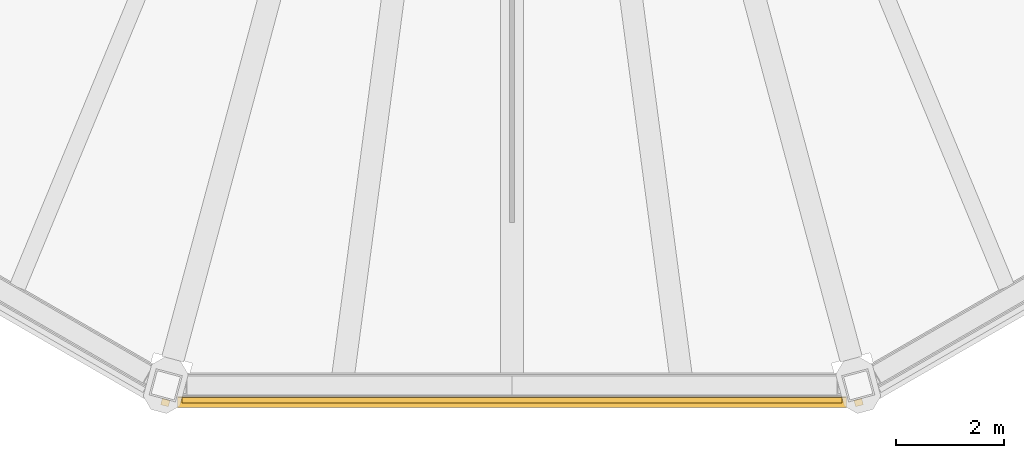
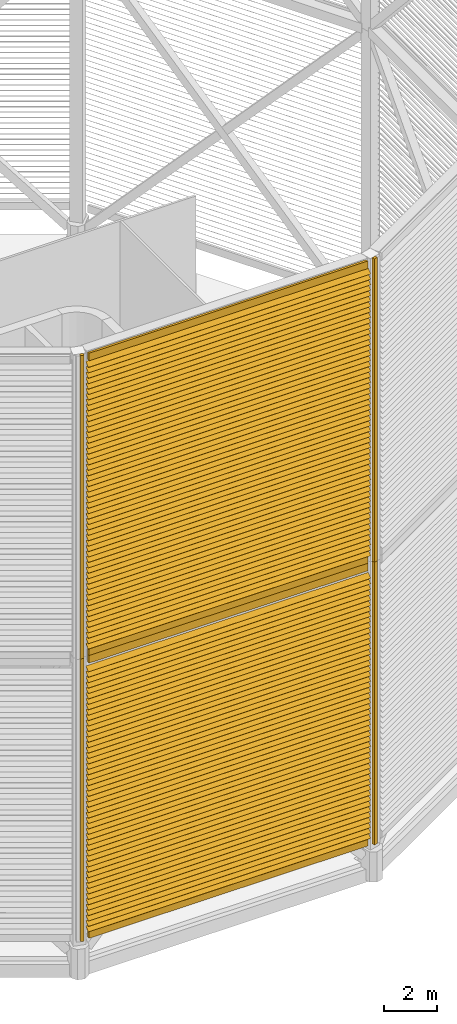
# One storey, part 9 of 18: 2 shading devices.
"""IFC4 building model written with IfcOpenShell, lengths in metres."""

from ifc_helpers import new_model, si_unit, direction, frame, origin, origin_2d, place, context, subcontext, project, spatial, rectangle, extrude, material, type_object, element, save


model = new_model("IFC4")

# Units and contexts
model_context = context("Model", 3, precision=1e-05, world=origin(), true_north=direction((0.0, 1.0)))
body_context = subcontext(model_context, "Body", "Model", "MODEL_VIEW")
ifc_project = project(units=[si_unit("LENGTHUNIT", "METRE"), si_unit("AREAUNIT", "SQUARE_METRE"), si_unit("VOLUMEUNIT", "CUBIC_METRE"), si_unit("PLANEANGLEUNIT", "RADIAN"), si_unit("MASSUNIT", "GRAM", prefix="KILO")], contexts=[model_context])

# Site, building, storey
site_placement = place(None, origin())
site = spatial("IfcSite", under=ifc_project, at=site_placement, CompositionType="ELEMENT")
building_placement = place(site_placement, origin())
building = spatial("IfcBuilding", under=site, at=building_placement, Name="Sahrelin Media Tower", CompositionType="ELEMENT")
storey_placement = place(building_placement, frame((0.0, 0.0, 335.800048828125)))
storey = spatial("IfcBuildingStorey", under=building, at=storey_placement, Name="Crown", CompositionType="ELEMENT", Elevation=335.800048828125)

# Shading devices
ifc_material = material(Name="Champagne anodised aluminium 6063-T6", Category="aluminium")
shading_device_type = type_object("IfcShadingDeviceType", Name="Crown louvre screen", PredefinedType="USERDEFINED", material=ifc_material)
shading_device_1_placement = place(storey_placement, frame((-6.38525390625, -23.830078125, 0.949951171875), z_axis=(0.0, 0.0, 1.0), x_axis=(-1.0, 0.0, 0.0)))
element("IfcShadingDevice", 1, at=shading_device_1_placement, inside=storey, type_object=shading_device_type, Name="Crown louvre screen CS-08A", ObjectType="LOUVRE", PredefinedType="USERDEFINED", context=body_context, shape_type="SweptSolid", body=[
    extrude(rectangle(XDim=0.10009765625, YDim=0.35009765625, at=origin_2d()), frame((-0.300048828125, 0.27490234375, 12.875), z_axis=(-1.0, 0.0, 0.0), x_axis=(0.0, -1.0, 0.0)), (0.0, 0.0, 1.0), 12.170654296875),
    extrude(rectangle(XDim=0.10009765625, YDim=0.35009765625, at=origin_2d()), frame((-0.300048828125, 0.27490234375, 0.175048828125), z_axis=(-1.0, 0.0, 0.0), x_axis=(0.0, -1.0, 0.0)), (0.0, 0.0, 1.0), 12.170654296875),
    extrude(rectangle(XDim=0.1201171875, YDim=0.14990234375, at=origin_2d()), frame((0.0078125, 0.31884765625, 0.0), z_axis=(0.0, 0.0, 1.0), x_axis=(0.258819045103, 0.965925826289, 0.0)), (0.0, 0.0, 1.0), 13.050048828125),
    extrude(rectangle(XDim=0.1201171875, YDim=0.14990234375, at=origin_2d()), frame((-12.7783203125, 0.31884765625, 0.0), z_axis=(0.0, 0.0, 1.0), x_axis=(-0.258819045103, 0.965925826289, 0.0)), (0.0, 0.0, 1.0), 13.050048828125),
    extrude(rectangle(XDim=0.25, YDim=0.02001953125, at=origin_2d()), frame((-0.219970703125, 0.31005859375, 0.449951171875), z_axis=(-1.0, 0.0, 0.0), x_axis=(0.0, -0.766044443119, 0.642787609687)), (0.0, 0.0, 1.0), 12.33056640625),
    extrude(rectangle(XDim=0.25, YDim=0.02001953125, at=origin_2d()), frame((-0.219970703125, 0.31005859375, 0.699951171875), z_axis=(-1.0, 0.0, 0.0), x_axis=(0.0, -0.766044443119, 0.642787609687)), (0.0, 0.0, 1.0), 12.33056640625),
    extrude(rectangle(XDim=0.25, YDim=0.02001953125, at=origin_2d()), frame((-0.219970703125, 0.31005859375, 0.949951171875), z_axis=(-1.0, 0.0, 0.0), x_axis=(0.0, -0.766044443119, 0.642787609687)), (0.0, 0.0, 1.0), 12.33056640625),
    extrude(rectangle(XDim=0.25, YDim=0.02001953125, at=origin_2d()), frame((-0.219970703125, 0.31005859375, 1.199951171875), z_axis=(-1.0, 0.0, 0.0), x_axis=(0.0, -0.766044443119, 0.642787609687)), (0.0, 0.0, 1.0), 12.33056640625),
    extrude(rectangle(XDim=0.25, YDim=0.02001953125, at=origin_2d()), frame((-0.219970703125, 0.31005859375, 1.449951171875), z_axis=(-1.0, 0.0, 0.0), x_axis=(0.0, -0.766044443119, 0.642787609687)), (0.0, 0.0, 1.0), 12.33056640625),
    extrude(rectangle(XDim=0.25, YDim=0.02001953125, at=origin_2d()), frame((-0.219970703125, 0.31005859375, 1.699951171875), z_axis=(-1.0, 0.0, 0.0), x_axis=(0.0, -0.766044443119, 0.642787609687)), (0.0, 0.0, 1.0), 12.33056640625),
    extrude(rectangle(XDim=0.25, YDim=0.02001953125, at=origin_2d()), frame((-0.219970703125, 0.31005859375, 1.949951171875), z_axis=(-1.0, 0.0, 0.0), x_axis=(0.0, -0.766044443119, 0.642787609687)), (0.0, 0.0, 1.0), 12.33056640625),
    extrude(rectangle(XDim=0.25, YDim=0.02001953125, at=origin_2d()), frame((-0.219970703125, 0.31005859375, 2.199951171875), z_axis=(-1.0, 0.0, 0.0), x_axis=(0.0, -0.766044443119, 0.642787609687)), (0.0, 0.0, 1.0), 12.33056640625),
    extrude(rectangle(XDim=0.25, YDim=0.02001953125, at=origin_2d()), frame((-0.219970703125, 0.31005859375, 2.449951171875), z_axis=(-1.0, 0.0, 0.0), x_axis=(0.0, -0.766044443119, 0.642787609687)), (0.0, 0.0, 1.0), 12.33056640625),
    extrude(rectangle(XDim=0.25, YDim=0.02001953125, at=origin_2d()), frame((-0.219970703125, 0.31005859375, 2.699951171875), z_axis=(-1.0, 0.0, 0.0), x_axis=(0.0, -0.766044443119, 0.642787609687)), (0.0, 0.0, 1.0), 12.33056640625),
    extrude(rectangle(XDim=0.25, YDim=0.02001953125, at=origin_2d()), frame((-0.219970703125, 0.31005859375, 2.949951171875), z_axis=(-1.0, 0.0, 0.0), x_axis=(0.0, -0.766044443119, 0.642787609687)), (0.0, 0.0, 1.0), 12.33056640625),
    extrude(rectangle(XDim=0.25, YDim=0.02001953125, at=origin_2d()), frame((-0.219970703125, 0.31005859375, 3.199951171875), z_axis=(-1.0, 0.0, 0.0), x_axis=(0.0, -0.766044443119, 0.642787609687)), (0.0, 0.0, 1.0), 12.33056640625),
    extrude(rectangle(XDim=0.25, YDim=0.02001953125, at=origin_2d()), frame((-0.219970703125, 0.31005859375, 3.449951171875), z_axis=(-1.0, 0.0, 0.0), x_axis=(0.0, -0.766044443119, 0.642787609687)), (0.0, 0.0, 1.0), 12.33056640625),
    extrude(rectangle(XDim=0.25, YDim=0.02001953125, at=origin_2d()), frame((-0.219970703125, 0.31005859375, 3.699951171875), z_axis=(-1.0, 0.0, 0.0), x_axis=(0.0, -0.766044443119, 0.642787609687)), (0.0, 0.0, 1.0), 12.33056640625),
    extrude(rectangle(XDim=0.25, YDim=0.02001953125, at=origin_2d()), frame((-0.219970703125, 0.31005859375, 3.949951171875), z_axis=(-1.0, 0.0, 0.0), x_axis=(0.0, -0.766044443119, 0.642787609687)), (0.0, 0.0, 1.0), 12.33056640625),
    extrude(rectangle(XDim=0.25, YDim=0.02001953125, at=origin_2d()), frame((-0.219970703125, 0.31005859375, 4.199951171875), z_axis=(-1.0, 0.0, 0.0), x_axis=(0.0, -0.766044443119, 0.642787609687)), (0.0, 0.0, 1.0), 12.33056640625),
    extrude(rectangle(XDim=0.25, YDim=0.02001953125, at=origin_2d()), frame((-0.219970703125, 0.31005859375, 4.449951171875), z_axis=(-1.0, 0.0, 0.0), x_axis=(0.0, -0.766044443119, 0.642787609687)), (0.0, 0.0, 1.0), 12.33056640625),
    extrude(rectangle(XDim=0.25, YDim=0.02001953125, at=origin_2d()), frame((-0.219970703125, 0.31005859375, 4.699951171875), z_axis=(-1.0, 0.0, 0.0), x_axis=(0.0, -0.766044443119, 0.642787609687)), (0.0, 0.0, 1.0), 12.33056640625),
    extrude(rectangle(XDim=0.25, YDim=0.02001953125, at=origin_2d()), frame((-0.219970703125, 0.31005859375, 4.949951171875), z_axis=(-1.0, 0.0, 0.0), x_axis=(0.0, -0.766044443119, 0.642787609687)), (0.0, 0.0, 1.0), 12.33056640625),
    extrude(rectangle(XDim=0.25, YDim=0.02001953125, at=origin_2d()), frame((-0.219970703125, 0.31005859375, 5.199951171875), z_axis=(-1.0, 0.0, 0.0), x_axis=(0.0, -0.766044443119, 0.642787609687)), (0.0, 0.0, 1.0), 12.33056640625),
    extrude(rectangle(XDim=0.25, YDim=0.02001953125, at=origin_2d()), frame((-0.219970703125, 0.31005859375, 5.449951171875), z_axis=(-1.0, 0.0, 0.0), x_axis=(0.0, -0.766044443119, 0.642787609687)), (0.0, 0.0, 1.0), 12.33056640625),
    extrude(rectangle(XDim=0.25, YDim=0.02001953125, at=origin_2d()), frame((-0.219970703125, 0.31005859375, 5.699951171875), z_axis=(-1.0, 0.0, 0.0), x_axis=(0.0, -0.766044443119, 0.642787609687)), (0.0, 0.0, 1.0), 12.33056640625),
    extrude(rectangle(XDim=0.25, YDim=0.02001953125, at=origin_2d()), frame((-0.219970703125, 0.31005859375, 5.949951171875), z_axis=(-1.0, 0.0, 0.0), x_axis=(0.0, -0.766044443119, 0.642787609687)), (0.0, 0.0, 1.0), 12.33056640625),
    extrude(rectangle(XDim=0.25, YDim=0.02001953125, at=origin_2d()), frame((-0.219970703125, 0.31005859375, 6.199951171875), z_axis=(-1.0, 0.0, 0.0), x_axis=(0.0, -0.766044443119, 0.642787609687)), (0.0, 0.0, 1.0), 12.33056640625),
    extrude(rectangle(XDim=0.25, YDim=0.02001953125, at=origin_2d()), frame((-0.219970703125, 0.31005859375, 6.449951171875), z_axis=(-1.0, 0.0, 0.0), x_axis=(0.0, -0.766044443119, 0.642787609687)), (0.0, 0.0, 1.0), 12.33056640625),
    extrude(rectangle(XDim=0.25, YDim=0.02001953125, at=origin_2d()), frame((-0.219970703125, 0.31005859375, 6.699951171875), z_axis=(-1.0, 0.0, 0.0), x_axis=(0.0, -0.766044443119, 0.642787609687)), (0.0, 0.0, 1.0), 12.33056640625),
    extrude(rectangle(XDim=0.25, YDim=0.02001953125, at=origin_2d()), frame((-0.219970703125, 0.31005859375, 6.949951171875), z_axis=(-1.0, 0.0, 0.0), x_axis=(0.0, -0.766044443119, 0.642787609687)), (0.0, 0.0, 1.0), 12.33056640625),
    extrude(rectangle(XDim=0.25, YDim=0.02001953125, at=origin_2d()), frame((-0.219970703125, 0.31005859375, 7.199951171875), z_axis=(-1.0, 0.0, 0.0), x_axis=(0.0, -0.766044443119, 0.642787609687)), (0.0, 0.0, 1.0), 12.33056640625),
    extrude(rectangle(XDim=0.25, YDim=0.02001953125, at=origin_2d()), frame((-0.219970703125, 0.31005859375, 7.449951171875), z_axis=(-1.0, 0.0, 0.0), x_axis=(0.0, -0.766044443119, 0.642787609687)), (0.0, 0.0, 1.0), 12.33056640625),
    extrude(rectangle(XDim=0.25, YDim=0.02001953125, at=origin_2d()), frame((-0.219970703125, 0.31005859375, 7.699951171875), z_axis=(-1.0, 0.0, 0.0), x_axis=(0.0, -0.766044443119, 0.642787609687)), (0.0, 0.0, 1.0), 12.33056640625),
    extrude(rectangle(XDim=0.25, YDim=0.02001953125, at=origin_2d()), frame((-0.219970703125, 0.31005859375, 7.949951171875), z_axis=(-1.0, 0.0, 0.0), x_axis=(0.0, -0.766044443119, 0.642787609687)), (0.0, 0.0, 1.0), 12.33056640625),
    extrude(rectangle(XDim=0.25, YDim=0.02001953125, at=origin_2d()), frame((-0.219970703125, 0.31005859375, 8.199951171875), z_axis=(-1.0, 0.0, 0.0), x_axis=(0.0, -0.766044443119, 0.642787609687)), (0.0, 0.0, 1.0), 12.33056640625),
    extrude(rectangle(XDim=0.25, YDim=0.02001953125, at=origin_2d()), frame((-0.219970703125, 0.31005859375, 8.449951171875), z_axis=(-1.0, 0.0, 0.0), x_axis=(0.0, -0.766044443119, 0.642787609687)), (0.0, 0.0, 1.0), 12.33056640625),
    extrude(rectangle(XDim=0.25, YDim=0.02001953125, at=origin_2d()), frame((-0.219970703125, 0.31005859375, 8.699951171875), z_axis=(-1.0, 0.0, 0.0), x_axis=(0.0, -0.766044443119, 0.642787609687)), (0.0, 0.0, 1.0), 12.33056640625),
    extrude(rectangle(XDim=0.25, YDim=0.02001953125, at=origin_2d()), frame((-0.219970703125, 0.31005859375, 8.949951171875), z_axis=(-1.0, 0.0, 0.0), x_axis=(0.0, -0.766044443119, 0.642787609687)), (0.0, 0.0, 1.0), 12.33056640625),
    extrude(rectangle(XDim=0.25, YDim=0.02001953125, at=origin_2d()), frame((-0.219970703125, 0.31005859375, 9.199951171875), z_axis=(-1.0, 0.0, 0.0), x_axis=(0.0, -0.766044443119, 0.642787609687)), (0.0, 0.0, 1.0), 12.33056640625),
    extrude(rectangle(XDim=0.25, YDim=0.02001953125, at=origin_2d()), frame((-0.219970703125, 0.31005859375, 9.449951171875), z_axis=(-1.0, 0.0, 0.0), x_axis=(0.0, -0.766044443119, 0.642787609687)), (0.0, 0.0, 1.0), 12.33056640625),
    extrude(rectangle(XDim=0.25, YDim=0.02001953125, at=origin_2d()), frame((-0.219970703125, 0.31005859375, 9.699951171875), z_axis=(-1.0, 0.0, 0.0), x_axis=(0.0, -0.766044443119, 0.642787609687)), (0.0, 0.0, 1.0), 12.33056640625),
    extrude(rectangle(XDim=0.25, YDim=0.02001953125, at=origin_2d()), frame((-0.219970703125, 0.31005859375, 9.949951171875), z_axis=(-1.0, 0.0, 0.0), x_axis=(0.0, -0.766044443119, 0.642787609687)), (0.0, 0.0, 1.0), 12.33056640625),
    extrude(rectangle(XDim=0.25, YDim=0.02001953125, at=origin_2d()), frame((-0.219970703125, 0.31005859375, 10.199951171875), z_axis=(-1.0, 0.0, 0.0), x_axis=(0.0, -0.766044443119, 0.642787609687)), (0.0, 0.0, 1.0), 12.33056640625),
    extrude(rectangle(XDim=0.25, YDim=0.02001953125, at=origin_2d()), frame((-0.219970703125, 0.31005859375, 10.449951171875), z_axis=(-1.0, 0.0, 0.0), x_axis=(0.0, -0.766044443119, 0.642787609687)), (0.0, 0.0, 1.0), 12.33056640625),
    extrude(rectangle(XDim=0.25, YDim=0.02001953125, at=origin_2d()), frame((-0.219970703125, 0.31005859375, 10.699951171875), z_axis=(-1.0, 0.0, 0.0), x_axis=(0.0, -0.766044443119, 0.642787609687)), (0.0, 0.0, 1.0), 12.33056640625),
    extrude(rectangle(XDim=0.25, YDim=0.02001953125, at=origin_2d()), frame((-0.219970703125, 0.31005859375, 10.949951171875), z_axis=(-1.0, 0.0, 0.0), x_axis=(0.0, -0.766044443119, 0.642787609687)), (0.0, 0.0, 1.0), 12.33056640625),
    extrude(rectangle(XDim=0.25, YDim=0.02001953125, at=origin_2d()), frame((-0.219970703125, 0.31005859375, 11.199951171875), z_axis=(-1.0, 0.0, 0.0), x_axis=(0.0, -0.766044443119, 0.642787609687)), (0.0, 0.0, 1.0), 12.33056640625),
    extrude(rectangle(XDim=0.25, YDim=0.02001953125, at=origin_2d()), frame((-0.219970703125, 0.31005859375, 11.449951171875), z_axis=(-1.0, 0.0, 0.0), x_axis=(0.0, -0.766044443119, 0.642787609687)), (0.0, 0.0, 1.0), 12.33056640625),
    extrude(rectangle(XDim=0.25, YDim=0.02001953125, at=origin_2d()), frame((-0.219970703125, 0.31005859375, 11.699951171875), z_axis=(-1.0, 0.0, 0.0), x_axis=(0.0, -0.766044443119, 0.642787609687)), (0.0, 0.0, 1.0), 12.33056640625),
    extrude(rectangle(XDim=0.25, YDim=0.02001953125, at=origin_2d()), frame((-0.219970703125, 0.31005859375, 11.949951171875), z_axis=(-1.0, 0.0, 0.0), x_axis=(0.0, -0.766044443119, 0.642787609687)), (0.0, 0.0, 1.0), 12.33056640625),
    extrude(rectangle(XDim=0.25, YDim=0.02001953125, at=origin_2d()), frame((-0.219970703125, 0.31005859375, 12.199951171875), z_axis=(-1.0, 0.0, 0.0), x_axis=(0.0, -0.766044443119, 0.642787609687)), (0.0, 0.0, 1.0), 12.33056640625),
    extrude(rectangle(XDim=0.25, YDim=0.02001953125, at=origin_2d()), frame((-0.219970703125, 0.31005859375, 12.449951171875), z_axis=(-1.0, 0.0, 0.0), x_axis=(0.0, -0.766044443119, 0.642787609687)), (0.0, 0.0, 1.0), 12.33056640625),
])
shading_device_2_placement = place(storey_placement, frame((-6.38525390625, -23.830078125, 14.0), z_axis=(0.0, 0.0, 1.0), x_axis=(-1.0, 0.0, 0.0)))
element("IfcShadingDevice", 2, at=shading_device_2_placement, inside=storey, type_object=shading_device_type, Name="Crown louvre screen CS-08B", ObjectType="LOUVRE", PredefinedType="USERDEFINED", context=body_context, shape_type="SweptSolid", body=[
    extrude(rectangle(XDim=0.10009765625, YDim=0.35009765625, at=origin_2d()), frame((-0.300048828125, 0.27490234375, 13.77490234375), z_axis=(-1.0, 0.0, 0.0), x_axis=(0.0, -1.0, 0.0)), (0.0, 0.0, 1.0), 12.170654296875),
    extrude(rectangle(XDim=0.10009765625, YDim=0.35009765625, at=origin_2d()), frame((-0.300048828125, 0.27490234375, 0.175048828125), z_axis=(-1.0, 0.0, 0.0), x_axis=(0.0, -1.0, 0.0)), (0.0, 0.0, 1.0), 12.170654296875),
    extrude(rectangle(XDim=0.1201171875, YDim=0.14990234375, at=origin_2d()), frame((0.0078125, 0.31884765625, 0.0), z_axis=(0.0, 0.0, 1.0), x_axis=(0.258819045103, 0.965925826289, 0.0)), (0.0, 0.0, 1.0), 14.0),
    extrude(rectangle(XDim=0.1201171875, YDim=0.14990234375, at=origin_2d()), frame((-12.7783203125, 0.31884765625, 0.0), z_axis=(0.0, 0.0, 1.0), x_axis=(-0.258819045103, 0.965925826289, 0.0)), (0.0, 0.0, 1.0), 14.0),
    extrude(rectangle(XDim=0.25, YDim=0.02001953125, at=origin_2d()), frame((-0.219970703125, 0.31005859375, 0.449951171875), z_axis=(-1.0, 0.0, 0.0), x_axis=(0.0, -0.766044443119, 0.642787609687)), (0.0, 0.0, 1.0), 12.33056640625),
    extrude(rectangle(XDim=0.25, YDim=0.02001953125, at=origin_2d()), frame((-0.219970703125, 0.31005859375, 0.699951171875), z_axis=(-1.0, 0.0, 0.0), x_axis=(0.0, -0.766044443119, 0.642787609687)), (0.0, 0.0, 1.0), 12.33056640625),
    extrude(rectangle(XDim=0.25, YDim=0.02001953125, at=origin_2d()), frame((-0.219970703125, 0.31005859375, 0.949951171875), z_axis=(-1.0, 0.0, 0.0), x_axis=(0.0, -0.766044443119, 0.642787609687)), (0.0, 0.0, 1.0), 12.33056640625),
    extrude(rectangle(XDim=0.25, YDim=0.02001953125, at=origin_2d()), frame((-0.219970703125, 0.31005859375, 1.199951171875), z_axis=(-1.0, 0.0, 0.0), x_axis=(0.0, -0.766044443119, 0.642787609687)), (0.0, 0.0, 1.0), 12.33056640625),
    extrude(rectangle(XDim=0.25, YDim=0.02001953125, at=origin_2d()), frame((-0.219970703125, 0.31005859375, 1.449951171875), z_axis=(-1.0, 0.0, 0.0), x_axis=(0.0, -0.766044443119, 0.642787609687)), (0.0, 0.0, 1.0), 12.33056640625),
    extrude(rectangle(XDim=0.25, YDim=0.02001953125, at=origin_2d()), frame((-0.219970703125, 0.31005859375, 1.699951171875), z_axis=(-1.0, 0.0, 0.0), x_axis=(0.0, -0.766044443119, 0.642787609687)), (0.0, 0.0, 1.0), 12.33056640625),
    extrude(rectangle(XDim=0.25, YDim=0.02001953125, at=origin_2d()), frame((-0.219970703125, 0.31005859375, 1.949951171875), z_axis=(-1.0, 0.0, 0.0), x_axis=(0.0, -0.766044443119, 0.642787609687)), (0.0, 0.0, 1.0), 12.33056640625),
    extrude(rectangle(XDim=0.25, YDim=0.02001953125, at=origin_2d()), frame((-0.219970703125, 0.31005859375, 2.199951171875), z_axis=(-1.0, 0.0, 0.0), x_axis=(0.0, -0.766044443119, 0.642787609687)), (0.0, 0.0, 1.0), 12.33056640625),
    extrude(rectangle(XDim=0.25, YDim=0.02001953125, at=origin_2d()), frame((-0.219970703125, 0.31005859375, 2.449951171875), z_axis=(-1.0, 0.0, 0.0), x_axis=(0.0, -0.766044443119, 0.642787609687)), (0.0, 0.0, 1.0), 12.33056640625),
    extrude(rectangle(XDim=0.25, YDim=0.02001953125, at=origin_2d()), frame((-0.219970703125, 0.31005859375, 2.699951171875), z_axis=(-1.0, 0.0, 0.0), x_axis=(0.0, -0.766044443119, 0.642787609687)), (0.0, 0.0, 1.0), 12.33056640625),
    extrude(rectangle(XDim=0.25, YDim=0.02001953125, at=origin_2d()), frame((-0.219970703125, 0.31005859375, 2.949951171875), z_axis=(-1.0, 0.0, 0.0), x_axis=(0.0, -0.766044443119, 0.642787609687)), (0.0, 0.0, 1.0), 12.33056640625),
    extrude(rectangle(XDim=0.25, YDim=0.02001953125, at=origin_2d()), frame((-0.219970703125, 0.31005859375, 3.199951171875), z_axis=(-1.0, 0.0, 0.0), x_axis=(0.0, -0.766044443119, 0.642787609687)), (0.0, 0.0, 1.0), 12.33056640625),
    extrude(rectangle(XDim=0.25, YDim=0.02001953125, at=origin_2d()), frame((-0.219970703125, 0.31005859375, 3.449951171875), z_axis=(-1.0, 0.0, 0.0), x_axis=(0.0, -0.766044443119, 0.642787609687)), (0.0, 0.0, 1.0), 12.33056640625),
    extrude(rectangle(XDim=0.25, YDim=0.02001953125, at=origin_2d()), frame((-0.219970703125, 0.31005859375, 3.699951171875), z_axis=(-1.0, 0.0, 0.0), x_axis=(0.0, -0.766044443119, 0.642787609687)), (0.0, 0.0, 1.0), 12.33056640625),
    extrude(rectangle(XDim=0.25, YDim=0.02001953125, at=origin_2d()), frame((-0.219970703125, 0.31005859375, 3.949951171875), z_axis=(-1.0, 0.0, 0.0), x_axis=(0.0, -0.766044443119, 0.642787609687)), (0.0, 0.0, 1.0), 12.33056640625),
    extrude(rectangle(XDim=0.25, YDim=0.02001953125, at=origin_2d()), frame((-0.219970703125, 0.31005859375, 4.199951171875), z_axis=(-1.0, 0.0, 0.0), x_axis=(0.0, -0.766044443119, 0.642787609687)), (0.0, 0.0, 1.0), 12.33056640625),
    extrude(rectangle(XDim=0.25, YDim=0.02001953125, at=origin_2d()), frame((-0.219970703125, 0.31005859375, 4.449951171875), z_axis=(-1.0, 0.0, 0.0), x_axis=(0.0, -0.766044443119, 0.642787609687)), (0.0, 0.0, 1.0), 12.33056640625),
    extrude(rectangle(XDim=0.25, YDim=0.02001953125, at=origin_2d()), frame((-0.219970703125, 0.31005859375, 4.699951171875), z_axis=(-1.0, 0.0, 0.0), x_axis=(0.0, -0.766044443119, 0.642787609687)), (0.0, 0.0, 1.0), 12.33056640625),
    extrude(rectangle(XDim=0.25, YDim=0.02001953125, at=origin_2d()), frame((-0.219970703125, 0.31005859375, 4.949951171875), z_axis=(-1.0, 0.0, 0.0), x_axis=(0.0, -0.766044443119, 0.642787609687)), (0.0, 0.0, 1.0), 12.33056640625),
    extrude(rectangle(XDim=0.25, YDim=0.02001953125, at=origin_2d()), frame((-0.219970703125, 0.31005859375, 5.199951171875), z_axis=(-1.0, 0.0, 0.0), x_axis=(0.0, -0.766044443119, 0.642787609687)), (0.0, 0.0, 1.0), 12.33056640625),
    extrude(rectangle(XDim=0.25, YDim=0.02001953125, at=origin_2d()), frame((-0.219970703125, 0.31005859375, 5.449951171875), z_axis=(-1.0, 0.0, 0.0), x_axis=(0.0, -0.766044443119, 0.642787609687)), (0.0, 0.0, 1.0), 12.33056640625),
    extrude(rectangle(XDim=0.25, YDim=0.02001953125, at=origin_2d()), frame((-0.219970703125, 0.31005859375, 5.699951171875), z_axis=(-1.0, 0.0, 0.0), x_axis=(0.0, -0.766044443119, 0.642787609687)), (0.0, 0.0, 1.0), 12.33056640625),
    extrude(rectangle(XDim=0.25, YDim=0.02001953125, at=origin_2d()), frame((-0.219970703125, 0.31005859375, 5.949951171875), z_axis=(-1.0, 0.0, 0.0), x_axis=(0.0, -0.766044443119, 0.642787609687)), (0.0, 0.0, 1.0), 12.33056640625),
    extrude(rectangle(XDim=0.25, YDim=0.02001953125, at=origin_2d()), frame((-0.219970703125, 0.31005859375, 6.199951171875), z_axis=(-1.0, 0.0, 0.0), x_axis=(0.0, -0.766044443119, 0.642787609687)), (0.0, 0.0, 1.0), 12.33056640625),
    extrude(rectangle(XDim=0.25, YDim=0.02001953125, at=origin_2d()), frame((-0.219970703125, 0.31005859375, 6.449951171875), z_axis=(-1.0, 0.0, 0.0), x_axis=(0.0, -0.766044443119, 0.642787609687)), (0.0, 0.0, 1.0), 12.33056640625),
    extrude(rectangle(XDim=0.25, YDim=0.02001953125, at=origin_2d()), frame((-0.219970703125, 0.31005859375, 6.699951171875), z_axis=(-1.0, 0.0, 0.0), x_axis=(0.0, -0.766044443119, 0.642787609687)), (0.0, 0.0, 1.0), 12.33056640625),
    extrude(rectangle(XDim=0.25, YDim=0.02001953125, at=origin_2d()), frame((-0.219970703125, 0.31005859375, 6.949951171875), z_axis=(-1.0, 0.0, 0.0), x_axis=(0.0, -0.766044443119, 0.642787609687)), (0.0, 0.0, 1.0), 12.33056640625),
    extrude(rectangle(XDim=0.25, YDim=0.02001953125, at=origin_2d()), frame((-0.219970703125, 0.31005859375, 7.199951171875), z_axis=(-1.0, 0.0, 0.0), x_axis=(0.0, -0.766044443119, 0.642787609687)), (0.0, 0.0, 1.0), 12.33056640625),
    extrude(rectangle(XDim=0.25, YDim=0.02001953125, at=origin_2d()), frame((-0.219970703125, 0.31005859375, 7.449951171875), z_axis=(-1.0, 0.0, 0.0), x_axis=(0.0, -0.766044443119, 0.642787609687)), (0.0, 0.0, 1.0), 12.33056640625),
    extrude(rectangle(XDim=0.25, YDim=0.02001953125, at=origin_2d()), frame((-0.219970703125, 0.31005859375, 7.699951171875), z_axis=(-1.0, 0.0, 0.0), x_axis=(0.0, -0.766044443119, 0.642787609687)), (0.0, 0.0, 1.0), 12.33056640625),
    extrude(rectangle(XDim=0.25, YDim=0.02001953125, at=origin_2d()), frame((-0.219970703125, 0.31005859375, 7.949951171875), z_axis=(-1.0, 0.0, 0.0), x_axis=(0.0, -0.766044443119, 0.642787609687)), (0.0, 0.0, 1.0), 12.33056640625),
    extrude(rectangle(XDim=0.25, YDim=0.02001953125, at=origin_2d()), frame((-0.219970703125, 0.31005859375, 8.199951171875), z_axis=(-1.0, 0.0, 0.0), x_axis=(0.0, -0.766044443119, 0.642787609687)), (0.0, 0.0, 1.0), 12.33056640625),
    extrude(rectangle(XDim=0.25, YDim=0.02001953125, at=origin_2d()), frame((-0.219970703125, 0.31005859375, 8.449951171875), z_axis=(-1.0, 0.0, 0.0), x_axis=(0.0, -0.766044443119, 0.642787609687)), (0.0, 0.0, 1.0), 12.33056640625),
    extrude(rectangle(XDim=0.25, YDim=0.02001953125, at=origin_2d()), frame((-0.219970703125, 0.31005859375, 8.699951171875), z_axis=(-1.0, 0.0, 0.0), x_axis=(0.0, -0.766044443119, 0.642787609687)), (0.0, 0.0, 1.0), 12.33056640625),
    extrude(rectangle(XDim=0.25, YDim=0.02001953125, at=origin_2d()), frame((-0.219970703125, 0.31005859375, 8.949951171875), z_axis=(-1.0, 0.0, 0.0), x_axis=(0.0, -0.766044443119, 0.642787609687)), (0.0, 0.0, 1.0), 12.33056640625),
    extrude(rectangle(XDim=0.25, YDim=0.02001953125, at=origin_2d()), frame((-0.219970703125, 0.31005859375, 9.199951171875), z_axis=(-1.0, 0.0, 0.0), x_axis=(0.0, -0.766044443119, 0.642787609687)), (0.0, 0.0, 1.0), 12.33056640625),
    extrude(rectangle(XDim=0.25, YDim=0.02001953125, at=origin_2d()), frame((-0.219970703125, 0.31005859375, 9.449951171875), z_axis=(-1.0, 0.0, 0.0), x_axis=(0.0, -0.766044443119, 0.642787609687)), (0.0, 0.0, 1.0), 12.33056640625),
    extrude(rectangle(XDim=0.25, YDim=0.02001953125, at=origin_2d()), frame((-0.219970703125, 0.31005859375, 9.699951171875), z_axis=(-1.0, 0.0, 0.0), x_axis=(0.0, -0.766044443119, 0.642787609687)), (0.0, 0.0, 1.0), 12.33056640625),
    extrude(rectangle(XDim=0.25, YDim=0.02001953125, at=origin_2d()), frame((-0.219970703125, 0.31005859375, 9.949951171875), z_axis=(-1.0, 0.0, 0.0), x_axis=(0.0, -0.766044443119, 0.642787609687)), (0.0, 0.0, 1.0), 12.33056640625),
    extrude(rectangle(XDim=0.25, YDim=0.02001953125, at=origin_2d()), frame((-0.219970703125, 0.31005859375, 10.199951171875), z_axis=(-1.0, 0.0, 0.0), x_axis=(0.0, -0.766044443119, 0.642787609687)), (0.0, 0.0, 1.0), 12.33056640625),
    extrude(rectangle(XDim=0.25, YDim=0.02001953125, at=origin_2d()), frame((-0.219970703125, 0.31005859375, 10.449951171875), z_axis=(-1.0, 0.0, 0.0), x_axis=(0.0, -0.766044443119, 0.642787609687)), (0.0, 0.0, 1.0), 12.33056640625),
    extrude(rectangle(XDim=0.25, YDim=0.02001953125, at=origin_2d()), frame((-0.219970703125, 0.31005859375, 10.699951171875), z_axis=(-1.0, 0.0, 0.0), x_axis=(0.0, -0.766044443119, 0.642787609687)), (0.0, 0.0, 1.0), 12.33056640625),
    extrude(rectangle(XDim=0.25, YDim=0.02001953125, at=origin_2d()), frame((-0.219970703125, 0.31005859375, 10.949951171875), z_axis=(-1.0, 0.0, 0.0), x_axis=(0.0, -0.766044443119, 0.642787609687)), (0.0, 0.0, 1.0), 12.33056640625),
    extrude(rectangle(XDim=0.25, YDim=0.02001953125, at=origin_2d()), frame((-0.219970703125, 0.31005859375, 11.199951171875), z_axis=(-1.0, 0.0, 0.0), x_axis=(0.0, -0.766044443119, 0.642787609687)), (0.0, 0.0, 1.0), 12.33056640625),
    extrude(rectangle(XDim=0.25, YDim=0.02001953125, at=origin_2d()), frame((-0.219970703125, 0.31005859375, 11.449951171875), z_axis=(-1.0, 0.0, 0.0), x_axis=(0.0, -0.766044443119, 0.642787609687)), (0.0, 0.0, 1.0), 12.33056640625),
    extrude(rectangle(XDim=0.25, YDim=0.02001953125, at=origin_2d()), frame((-0.219970703125, 0.31005859375, 11.699951171875), z_axis=(-1.0, 0.0, 0.0), x_axis=(0.0, -0.766044443119, 0.642787609687)), (0.0, 0.0, 1.0), 12.33056640625),
    extrude(rectangle(XDim=0.25, YDim=0.02001953125, at=origin_2d()), frame((-0.219970703125, 0.31005859375, 11.949951171875), z_axis=(-1.0, 0.0, 0.0), x_axis=(0.0, -0.766044443119, 0.642787609687)), (0.0, 0.0, 1.0), 12.33056640625),
    extrude(rectangle(XDim=0.25, YDim=0.02001953125, at=origin_2d()), frame((-0.219970703125, 0.31005859375, 12.199951171875), z_axis=(-1.0, 0.0, 0.0), x_axis=(0.0, -0.766044443119, 0.642787609687)), (0.0, 0.0, 1.0), 12.33056640625),
    extrude(rectangle(XDim=0.25, YDim=0.02001953125, at=origin_2d()), frame((-0.219970703125, 0.31005859375, 12.449951171875), z_axis=(-1.0, 0.0, 0.0), x_axis=(0.0, -0.766044443119, 0.642787609687)), (0.0, 0.0, 1.0), 12.33056640625),
    extrude(rectangle(XDim=0.25, YDim=0.02001953125, at=origin_2d()), frame((-0.219970703125, 0.31005859375, 12.699951171875), z_axis=(-1.0, 0.0, 0.0), x_axis=(0.0, -0.766044443119, 0.642787609687)), (0.0, 0.0, 1.0), 12.33056640625),
    extrude(rectangle(XDim=0.25, YDim=0.02001953125, at=origin_2d()), frame((-0.219970703125, 0.31005859375, 12.949951171875), z_axis=(-1.0, 0.0, 0.0), x_axis=(0.0, -0.766044443119, 0.642787609687)), (0.0, 0.0, 1.0), 12.33056640625),
    extrude(rectangle(XDim=0.25, YDim=0.02001953125, at=origin_2d()), frame((-0.219970703125, 0.31005859375, 13.199951171875), z_axis=(-1.0, 0.0, 0.0), x_axis=(0.0, -0.766044443119, 0.642787609687)), (0.0, 0.0, 1.0), 12.33056640625),
    extrude(rectangle(XDim=0.25, YDim=0.02001953125, at=origin_2d()), frame((-0.219970703125, 0.31005859375, 13.449951171875), z_axis=(-1.0, 0.0, 0.0), x_axis=(0.0, -0.766044443119, 0.642787609687)), (0.0, 0.0, 1.0), 12.33056640625),
])

save(model, "model.ifc")
